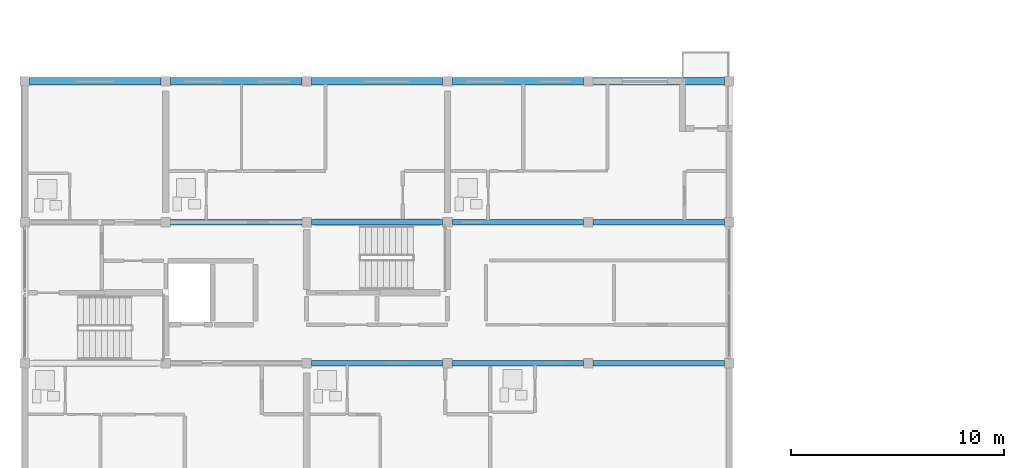
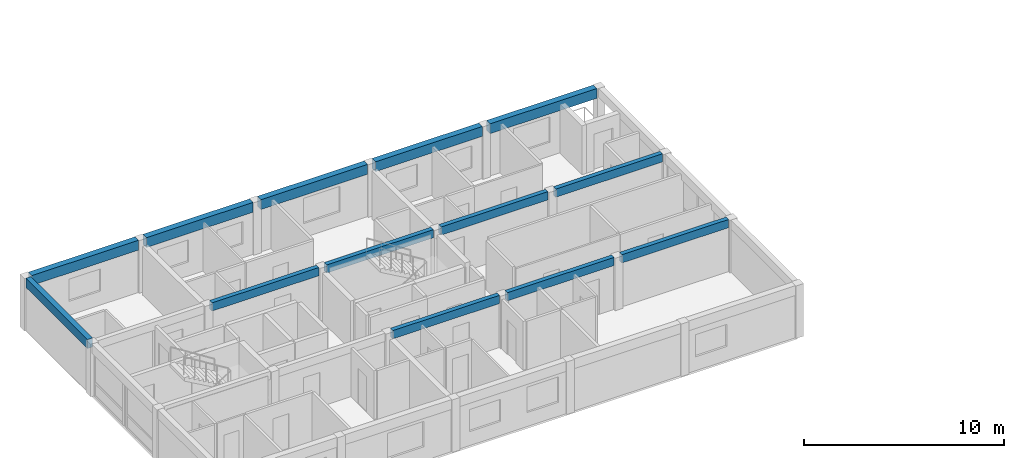
# One storey, part 10 of 34: 13 beams.
"""IFC4 building model written with IfcOpenShell, lengths in metres."""

from ifc_helpers import new_model, si_unit, direction, frame, origin, origin_2d, place, context, subcontext, project, spatial, rectangle, extrude, material, material_profile, profile_set, type_object, element, save


model = new_model("IFC4")

# Units and contexts
model_context = context("Model", 3, precision=1e-05, world=origin(), true_north=direction((0.0, 1.0)))
body_context = subcontext(model_context, "Body", "Model", "MODEL_VIEW")
ifc_project = project(units=[si_unit("LENGTHUNIT", "METRE"), si_unit("AREAUNIT", "SQUARE_METRE"), si_unit("VOLUMEUNIT", "CUBIC_METRE"), si_unit("PLANEANGLEUNIT", "RADIAN"), si_unit("MASSUNIT", "GRAM", prefix="KILO")], contexts=[model_context])

# Site, building, storey
site_placement = place(None, origin())
site = spatial("IfcSite", under=ifc_project, at=site_placement, CompositionType="ELEMENT")
building_placement = place(site_placement, origin())
building = spatial("IfcBuilding", under=site, at=building_placement, Name="Kernevlak Ridge Housing Community", CompositionType="ELEMENT")
storey_placement = place(building_placement, frame((0.0, 0.0, 34.0)))
storey = spatial("IfcBuildingStorey", under=building, at=storey_placement, Name="L10", CompositionType="ELEMENT", Elevation=34.0)

# Beams
ifc_material = material(Name="Concrete C35/45", Category="concrete")
ifc_material_profile_1 = material_profile(ifc_material, rectangle(XDim=0.25, YDim=0.5, at=origin_2d()), Name="RC 250x500")
ifc_profile_set_1 = profile_set([ifc_material_profile_1], Name="Concrete C35/45")
beam_type_1 = type_object("IfcBeamType", Name="B-06", PredefinedType="T_BEAM", material=ifc_profile_set_1)
beam_1_placement = place(storey_placement, frame((29.02490234375, 82.60009765625, 2.949951171875), z_axis=(1.0, 0.0, 0.0), x_axis=(0.0, 1.0, 0.0)))
element("IfcBeam", 1, at=beam_1_placement, inside=storey, type_object=beam_type_1, Name="Beam B-06 L10 324", PredefinedType="T_BEAM", context=body_context, shape_type="SweptSolid", body=[
    extrude(rectangle(XDim=0.25, YDim=0.5, at=origin_2d()), origin(), (0.0, 0.0, 1.0), 6.150146484375),
])
for number, where, z_axis, x_axis, name in (
    (2, (35.625, 82.60009765625, 2.949951171875), (1.0, 0.0, 0.0), (0.0, 1.0, 0.0), "Beam B-06 L10 325"),
    (3, (42.22509765625, 82.60009765625, 2.949951171875), (1.0, 0.0, 0.0), (0.0, 1.0, 0.0), "Beam B-06 L10 326"),
    (4, (22.425048828125, 89.199951171875, 2.949951171875), (1.0, 0.0, 0.0), (0.0, 1.0, 0.0), "Beam B-06 L10 328"),
):
    element("IfcBeam", number, at=place(storey_placement, frame(where, z_axis=z_axis, x_axis=x_axis)), inside=storey, type_object=beam_type_1, Name=name, PredefinedType="T_BEAM", context=body_context, shape_type="SweptSolid", body=[
        extrude(rectangle(XDim=0.25, YDim=0.5, at=origin_2d()), origin(), (0.0, 0.0, 1.0), 6.14990234375),
    ])
beam_2_placement = place(storey_placement, frame((29.02490234375, 89.199951171875, 2.949951171875), z_axis=(1.0, 0.0, 0.0), x_axis=(0.0, 1.0, 0.0)))
element("IfcBeam", 5, at=beam_2_placement, inside=storey, type_object=beam_type_1, Name="Beam B-06 L10 329", PredefinedType="T_BEAM", context=body_context, shape_type="SweptSolid", body=[
    extrude(rectangle(XDim=0.25, YDim=0.5, at=origin_2d()), origin(), (0.0, 0.0, 1.0), 6.150146484375),
])
for number, where, z_axis, x_axis, name in (
    (6, (35.625, 89.199951171875, 2.949951171875), (1.0, 0.0, 0.0), (0.0, 1.0, 0.0), "Beam B-06 L10 330"),
    (7, (42.22509765625, 89.199951171875, 2.949951171875), (1.0, 0.0, 0.0), (0.0, 1.0, 0.0), "Beam B-06 L10 331"),
):
    element("IfcBeam", number, at=place(storey_placement, frame(where, z_axis=z_axis, x_axis=x_axis)), inside=storey, type_object=beam_type_1, Name=name, PredefinedType="T_BEAM", context=body_context, shape_type="SweptSolid", body=[
        extrude(rectangle(XDim=0.25, YDim=0.5, at=origin_2d()), origin(), (0.0, 0.0, 1.0), 6.14990234375),
    ])
ifc_material_profile_2 = material_profile(ifc_material, rectangle(XDim=0.300048828125, YDim=0.550048828125, at=origin_2d()), Name="RC 300x550")
ifc_profile_set_2 = profile_set([ifc_material_profile_2], Name="Concrete C35/45")
beam_type_2 = type_object("IfcBeamType", Name="SP-01", PredefinedType="SPANDREL", material=ifc_profile_set_2)
beam_3_placement = place(storey_placement, frame((15.60009765625, 89.425048828125, 2.925048828125), z_axis=(0.0, 1.0, 0.0), x_axis=(-1.0, 0.0, 0.0)))
element("IfcBeam", 8, at=beam_3_placement, inside=storey, type_object=beam_type_2, Name="Beam SP-01 L10 339", PredefinedType="SPANDREL", context=body_context, shape_type="SweptSolid", body=[
    extrude(rectangle(XDim=0.300048828125, YDim=0.550048828125, at=origin_2d()), origin(), (0.0, 0.0, 1.0), 6.14990234375),
])
ifc_material_profile_3 = material_profile(ifc_material, rectangle(XDim=0.35009765625, YDim=0.60009765625, at=origin_2d()), Name="RC 350x600")
ifc_profile_set_3 = profile_set([ifc_material_profile_3], Name="Concrete C35/45")
beam_type_3 = type_object("IfcBeamType", Name="SP-03", PredefinedType="SPANDREL", material=ifc_profile_set_3)
beam_4_placement = place(storey_placement, frame((15.824951171875, 95.800048828125, 2.89990234375), z_axis=(1.0, 0.0, 0.0), x_axis=(0.0, 1.0, 0.0)))
element("IfcBeam", 9, at=beam_4_placement, inside=storey, type_object=beam_type_3, Name="Beam SP-03 L10 332", PredefinedType="SPANDREL", context=body_context, shape_type="SweptSolid", body=[
    extrude(rectangle(XDim=0.35009765625, YDim=0.60009765625, at=origin_2d()), origin(), (0.0, 0.0, 1.0), 6.150146484375),
])
beam_5_placement = place(storey_placement, frame((22.425048828125, 95.800048828125, 2.89990234375), z_axis=(1.0, 0.0, 0.0), x_axis=(0.0, 1.0, 0.0)))
element("IfcBeam", 10, at=beam_5_placement, inside=storey, type_object=beam_type_3, Name="Beam SP-03 L10 333", PredefinedType="SPANDREL", context=body_context, shape_type="SweptSolid", body=[
    extrude(rectangle(XDim=0.35009765625, YDim=0.60009765625, at=origin_2d()), origin(), (0.0, 0.0, 1.0), 6.14990234375),
])
beam_6_placement = place(storey_placement, frame((29.02490234375, 95.800048828125, 2.89990234375), z_axis=(1.0, 0.0, 0.0), x_axis=(0.0, 1.0, 0.0)))
element("IfcBeam", 11, at=beam_6_placement, inside=storey, type_object=beam_type_3, Name="Beam SP-03 L10 334", PredefinedType="SPANDREL", context=body_context, shape_type="SweptSolid", body=[
    extrude(rectangle(XDim=0.35009765625, YDim=0.60009765625, at=origin_2d()), origin(), (0.0, 0.0, 1.0), 6.150146484375),
])
for number, where, z_axis, x_axis, name in (
    (12, (35.625, 95.800048828125, 2.89990234375), (1.0, 0.0, 0.0), (0.0, 1.0, 0.0), "Beam SP-03 L10 335"),
    (13, (42.22509765625, 95.800048828125, 2.89990234375), (1.0, 0.0, 0.0), (0.0, 1.0, 0.0), "Beam SP-03 L10 336"),
):
    element("IfcBeam", number, at=place(storey_placement, frame(where, z_axis=z_axis, x_axis=x_axis)), inside=storey, type_object=beam_type_3, Name=name, PredefinedType="SPANDREL", context=body_context, shape_type="SweptSolid", body=[
        extrude(rectangle(XDim=0.35009765625, YDim=0.60009765625, at=origin_2d()), origin(), (0.0, 0.0, 1.0), 6.14990234375),
    ])

save(model, "model.ifc")
